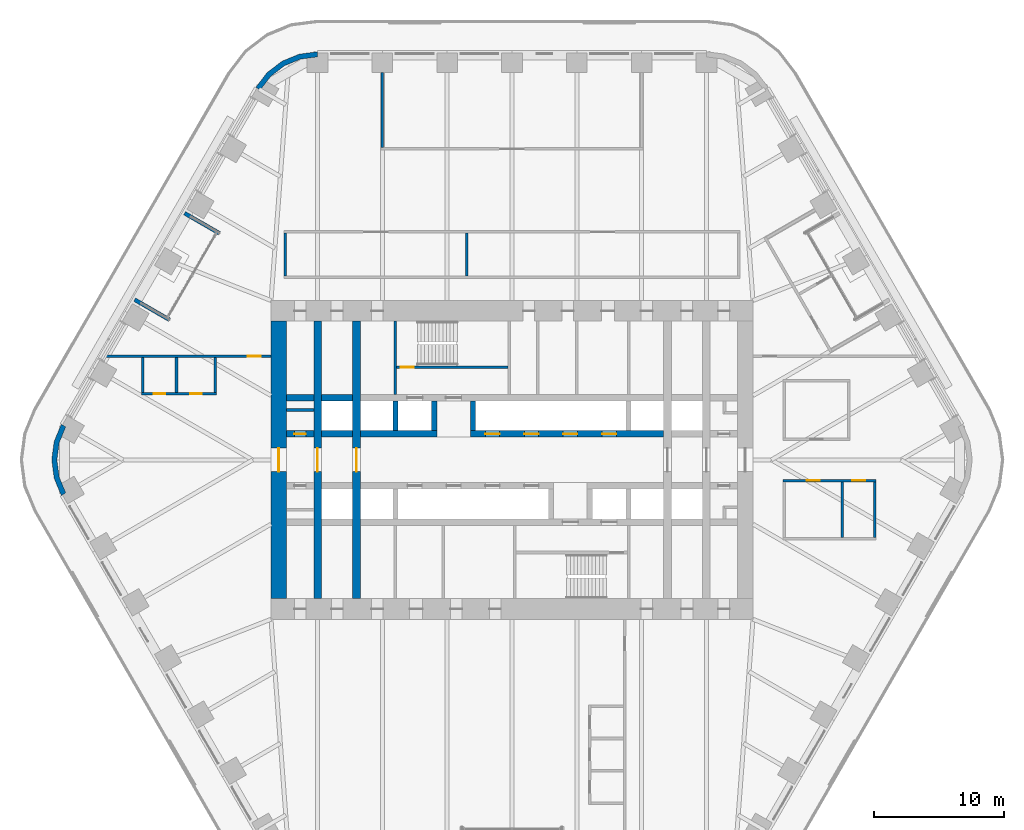
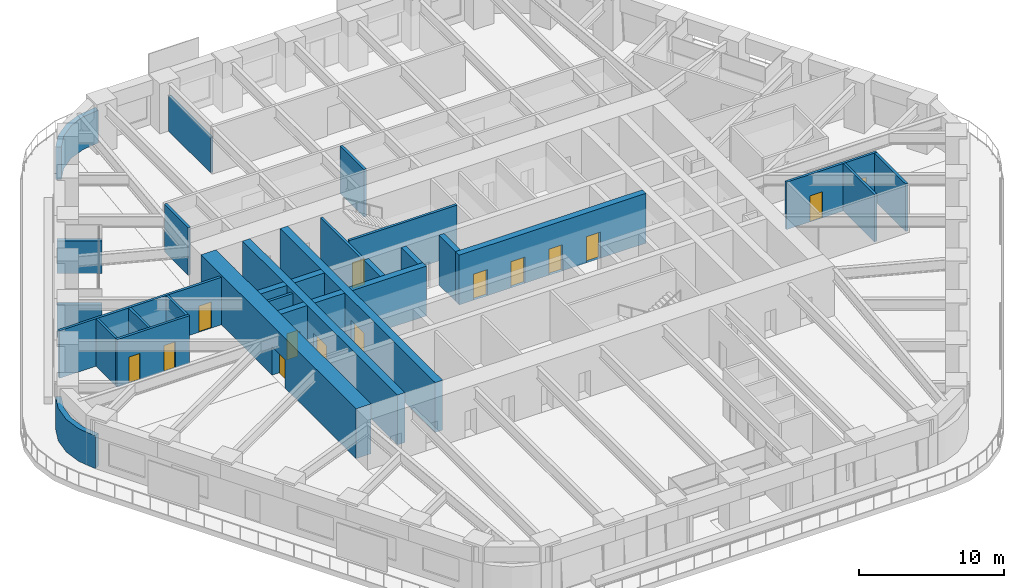
# One storey, part 19 of 24: 30 walls, 14 doors, 14 openings.
"""IFC4 building model written with IfcOpenShell, lengths in metres."""

from ifc_helpers import new_model, si_unit, direction, frame, frame_2d, origin, place, context, subcontext, project, spatial, polyline, rectangle, outline, extrude, material, layer, layer_set, type_object, element, fill, save


model = new_model("IFC4")

# Units and contexts
model_context = context("Model", 3, precision=1e-05, world=origin(), true_north=direction((0.0, 1.0)))
body_context = subcontext(model_context, "Body", "Model", "MODEL_VIEW")
ifc_project = project(units=[si_unit("LENGTHUNIT", "METRE"), si_unit("AREAUNIT", "SQUARE_METRE"), si_unit("VOLUMEUNIT", "CUBIC_METRE"), si_unit("PLANEANGLEUNIT", "RADIAN"), si_unit("MASSUNIT", "GRAM", prefix="KILO")], contexts=[model_context])

# Site, building, storey
site_placement = place(None, origin())
site = spatial("IfcSite", under=ifc_project, at=site_placement, CompositionType="ELEMENT")
building_placement = place(site_placement, origin())
building = spatial("IfcBuilding", under=site, at=building_placement, Name="Tarfa Lantern Tower", CompositionType="ELEMENT")
storey_placement = place(building_placement, frame((0.0, 0.0, 140.5)))
storey = spatial("IfcBuildingStorey", under=building, at=storey_placement, Name="L31", CompositionType="ELEMENT", Elevation=140.5)

# Walls
ifc_material_1 = material(Name="Limestone cladding on blockwork", Category="masonry")
ifc_layer_1 = layer(ifc_material_1, 0.300048828125)
ifc_layer_set_1 = layer_set([ifc_layer_1], Name="EW1 STONE-CLAD WALL 300")
wall_type_1 = type_object("IfcWallType", Name="EW1 STONE-CLAD WALL 300", PredefinedType="SOLIDWALL", material=ifc_layer_set_1)
wall_1_placement = place(storey_placement, frame((-25.266357421875, 19.037353515625, 0.0), z_axis=(0.0, 0.0, 1.0), x_axis=(0.86600983753, -0.500026960575, 0.0)))
element("IfcWall", 1, at=wall_1_placement, inside=storey, type_object=wall_type_1, Name="Loggia return NW 1", PredefinedType="SOLIDWALL", context=body_context, shape_type="SweptSolid", body=[
    extrude(rectangle(XDim=3.099853515625, YDim=0.300048828125, at=frame_2d((1.5498046875, 0.0))), origin(), (0.0, 0.0, 1.0), 2.75),
])
wall_2_placement = place(storey_placement, frame((-29.1201171875, 12.362548828125, 0.0), z_axis=(0.0, 0.0, 1.0), x_axis=(0.86602952684, -0.49999285859, 0.0)))
element("IfcWall", 2, at=wall_2_placement, inside=storey, type_object=wall_type_1, Name="Loggia return NW 2", PredefinedType="SOLIDWALL", context=body_context, shape_type="SweptSolid", body=[
    extrude(rectangle(XDim=3.10009765625, YDim=0.300048828125, at=frame_2d((1.550048828125, 0.0))), origin(), (0.0, 0.0, 1.0), 2.75),
])
ifc_layer_2 = layer(ifc_material_1, 0.39990234375)
ifc_layer_set_2 = layer_set([ifc_layer_2], Name="EW2 CURVED STONE CORNER 400")
wall_type_2 = type_object("IfcWallType", Name="EW2 CURVED STONE CORNER 400", PredefinedType="SOLIDWALL", material=ifc_layer_set_2)
wall_3_placement = place(storey_placement, origin())
element("IfcWall", 3, at=wall_3_placement, inside=storey, type_object=wall_type_2, Name="Stone corner N-NW", PredefinedType="SOLIDWALL", context=body_context, shape_type="SweptSolid", body=[
    extrude(outline(polyline([(-15.010986328125, 31.5), (-16.4345703125, 31.3125), (-17.760986328125, 30.76318359375), (-18.900146484375, 29.88916015625), (-19.774169921875, 28.75), (-19.427734375, 28.550048828125), (-18.617431640625, 29.606201171875), (-17.56103515625, 30.416748046875), (-16.3310546875, 30.92626953125), (-15.010986328125, 31.10009765625), (-15.010986328125, 31.5)])), origin(), (0.0, 0.0, 1.0), 2.75),
])
wall_4_placement = place(storey_placement, origin())
element("IfcWall", 4, at=wall_4_placement, inside=storey, type_object=wall_type_2, Name="Stone corner NW-SW", PredefinedType="SOLIDWALL", context=body_context, shape_type="SweptSolid", body=[
    extrude(outline(polyline([(-34.785400390625, 2.75), (-35.334716796875, 1.423583984375), (-35.522216796875, 0.0), (-35.334716796875, -1.423583984375), (-34.785400390625, -2.75), (-34.43896484375, -2.550048828125), (-34.948486328125, -1.320068359375), (-35.122314453125, 0.0), (-34.948486328125, 1.320068359375), (-34.43896484375, 2.550048828125), (-34.785400390625, 2.75)])), origin(), (0.0, 0.0, 1.0), 2.75),
])
ifc_material_2 = material(Name="Concrete blockwork", Category="masonry")
ifc_layer_3 = layer(ifc_material_2, 0.199951171875)
ifc_layer_set_3 = layer_set([ifc_layer_3], Name="IW1 BLOCKWORK PARTITION 200 EI 120")
wall_type_3 = type_object("IfcWallType", Name="IW1 BLOCKWORK PARTITION 200 EI 120", PredefinedType="PARTITIONING", material=ifc_layer_set_3)
wall_5_placement = place(storey_placement, frame((-9.0, 5.050048828125, 0.0), z_axis=(0.0, 0.0, 1.0), x_axis=(0.0, 1.0, 0.0)))
element("IfcWall", 5, at=wall_5_placement, inside=storey, type_object=wall_type_3, Name="Core partition", PredefinedType="PARTITIONING", context=body_context, shape_type="SweptSolid", body=[
    extrude(rectangle(XDim=5.64990234375, YDim=0.199951171875, at=frame_2d((2.824951171875, 0.0))), origin(), (0.0, 0.0, 1.0), 4.0),
])
wall_6_placement = place(storey_placement, frame((-17.39990234375, 3.85009765625, 0.0), z_axis=(0.0, 0.0, 1.0), x_axis=(1.0, 0.0, 0.0)))
element("IfcWall", 6, at=wall_6_placement, inside=storey, type_object=wall_type_3, Name="Core partition", PredefinedType="PARTITIONING", context=body_context, shape_type="SweptSolid", body=[
    extrude(rectangle(XDim=2.099853515625, YDim=0.199951171875, at=frame_2d((1.0498046875, 0.0))), origin(), (0.0, 0.0, 1.0), 4.0),
])
ifc_material_3 = material(Name="Gypsum board on steel studs", Category="steel")
ifc_layer_4 = layer(ifc_material_3, 0.2099609375)
ifc_layer_set_4 = layer_set([ifc_layer_4], Name="IW2 ACOUSTIC PARTITION 200")
wall_type_4 = type_object("IfcWallType", Name="IW2 ACOUSTIC PARTITION 200", PredefinedType="PARTITIONING", material=ifc_layer_set_4)
for number, where, z_axis, x_axis, name in (
    (7, (-17.5, 14.199951171875, 0.0), (0.0, 0.0, 1.0), (0.0, 1.0, 0.0), "Partition"),
    (8, (-3.5, 14.199951171875, 0.0), (0.0, 0.0, 1.0), (0.0, 1.0, 0.0), "Partition"),
):
    element("IfcWall", number, at=place(storey_placement, frame(where, z_axis=z_axis, x_axis=x_axis)), inside=storey, type_object=wall_type_4, Name=name, PredefinedType="PARTITIONING", context=body_context, shape_type="SweptSolid", body=[
        extrude(rectangle(XDim=3.300048828125, YDim=0.199951171875, at=frame_2d((1.64990234375, 0.0))), origin(), (0.0, 0.0, 1.0), 4.0),
    ])
wall_7_placement = place(storey_placement, frame((-10.00732421875, 24.10009765625, 0.0), z_axis=(0.0, 0.0, 1.0), x_axis=(0.0, 1.0, 0.0)))
element("IfcWall", 9, at=wall_7_placement, inside=storey, type_object=wall_type_4, Name="Partition", PredefinedType="PARTITIONING", context=body_context, shape_type="SweptSolid", body=[
    extrude(rectangle(XDim=5.7998046875, YDim=0.199951171875, at=frame_2d((2.89990234375, 0.0))), origin(), (0.0, 0.0, 1.0), 2.991943359375),
])

# Wall, openings, doors
wall_8_placement = place(storey_placement, frame((20.89990234375, -1.60009765625, 0.0), z_axis=(0.0, 0.0, 1.0), x_axis=(1.0, 0.0, 0.0)))
wall_8 = element("IfcWall", 10, at=wall_8_placement, inside=storey, type_object=wall_type_4, Name="Partition", PredefinedType="PARTITIONING", context=body_context, shape_type="SweptSolid", body=[
    extrude(rectangle(XDim=7.2001953125, YDim=0.199951171875, at=frame_2d((3.60009765625, 0.0))), origin(), (0.0, 0.0, 1.0), 4.0),
])
opening_1_placement = place(wall_8_placement, frame((1.85009765625, 0.0, 0.0)))
opening_1 = element("IfcOpeningElement", 11, at=opening_1_placement, cuts=wall_8, Name="Opening D34", PredefinedType="OPENING", context=body_context, shape_type="SweptSolid", body=[
    extrude(rectangle(XDim=1.0, YDim=2.199951171875, at=frame_2d((0.5, 1.10009765625))), frame((0.0, 0.10986328125, 0.0), z_axis=(0.0, -1.0, 0.0), x_axis=(1.0, 0.0, 0.0)), (0.0, 0.0, 1.0), 0.219970703125),
])
opening_2_placement = place(wall_8_placement, frame((5.35009765625, 0.0, 0.0)))
opening_2 = element("IfcOpeningElement", 12, at=opening_2_placement, cuts=wall_8, Name="Opening D35", PredefinedType="OPENING", context=body_context, shape_type="SweptSolid", body=[
    extrude(rectangle(XDim=1.0, YDim=2.199951171875, at=frame_2d((0.5, 1.10009765625))), frame((0.0, 0.10986328125, 0.0), z_axis=(0.0, -1.0, 0.0), x_axis=(1.0, 0.0, 0.0)), (0.0, 0.0, 1.0), 0.219970703125),
])
ifc_material_4 = material(Name="Timber door", Category="wood")
door_type_1 = type_object("IfcDoorType", Name="DR1 ROOM DOOR 1000x2200", OperationType="SINGLE_SWING_LEFT", PredefinedType="DOOR", material=ifc_material_4)
door_1_placement = place(opening_1_placement, frame((1.0, 0.0, 0.0), z_axis=(0.0, 0.0, 1.0), x_axis=(-1.0, 0.0, 0.0)))
door_1 = element("IfcDoor", 13, at=door_1_placement, inside=storey, type_object=door_type_1, Name="Pantry door", OperationType="SINGLE_SWING_LEFT", OverallHeight=2.199951171875, OverallWidth=1.0, PredefinedType="DOOR", context=body_context, shape_type="SweptSolid", body=[
    extrude(rectangle(XDim=1.0, YDim=2.199951171875, at=frame_2d((0.5, 1.10009765625))), frame((0.0, 0.02490234375, 0.0), z_axis=(0.0, -1.0, 0.0), x_axis=(1.0, 0.0, 0.0)), (0.0, 0.0, 1.0), 0.050048828125),
])
fill(opening_1, door_1)
door_2_placement = place(opening_2_placement, frame((1.0, 0.0, 0.0), z_axis=(0.0, 0.0, 1.0), x_axis=(-1.0, 0.0, 0.0)))
door_2 = element("IfcDoor", 14, at=door_2_placement, inside=storey, type_object=door_type_1, Name="Print room door", OperationType="SINGLE_SWING_RIGHT", OverallHeight=2.199951171875, OverallWidth=1.0, PredefinedType="DOOR", context=body_context, shape_type="SweptSolid", body=[
    extrude(rectangle(XDim=1.0, YDim=2.199951171875, at=frame_2d((0.5, 1.10009765625))), frame((0.0, 0.02490234375, 0.0), z_axis=(0.0, -1.0, 0.0), x_axis=(1.0, 0.0, 0.0)), (0.0, 0.0, 1.0), 0.050048828125),
])
fill(opening_2, door_2)

# Walls
for number, where, z_axis, x_axis, name in (
    (15, (25.5, -1.699951171875, 0.0), (0.0, 0.0, 1.0), (0.0, -1.0, 0.0), "Partition"),
    (16, (28.0, -1.699951171875, 0.0), (0.0, 0.0, 1.0), (0.0, -1.0, 0.0), "Partition"),
):
    element("IfcWall", number, at=place(storey_placement, frame(where, z_axis=z_axis, x_axis=x_axis)), inside=storey, type_object=wall_type_4, Name=name, PredefinedType="PARTITIONING", context=body_context, shape_type="SweptSolid", body=[
        extrude(rectangle(XDim=4.300048828125, YDim=0.199951171875, at=frame_2d((2.14990234375, 0.0))), origin(), (0.0, 0.0, 1.0), 4.0),
    ])

# Wall, opening, door
wall_9_placement = place(storey_placement, frame((-18.60009765625, 8.0, 0.0), z_axis=(0.0, 0.0, 1.0), x_axis=(-1.0, 0.0, 0.0)))
wall_9 = element("IfcWall", 17, at=wall_9_placement, inside=storey, type_object=wall_type_4, Name="Partition", PredefinedType="PARTITIONING", context=body_context, shape_type="SweptSolid", body=[
    extrude(rectangle(XDim=12.89990234375, YDim=0.199951171875, at=frame_2d((6.449951171875, 0.0))), origin(), (0.0, 0.0, 1.0), 4.0),
])
opening_3_placement = place(wall_9_placement, frame((0.7900390625, 0.0, 0.0)))
opening_3 = element("IfcOpeningElement", 18, at=opening_3_placement, cuts=wall_9, Name="Opening D48", PredefinedType="OPENING", context=body_context, shape_type="SweptSolid", body=[
    extrude(rectangle(XDim=1.0, YDim=2.199951171875, at=frame_2d((0.5, 1.10009765625))), frame((0.0, 0.10986328125, 0.0), z_axis=(0.0, -1.0, 0.0), x_axis=(1.0, 0.0, 0.0)), (0.0, 0.0, 1.0), 0.219970703125),
])
door_3_placement = place(opening_3_placement, frame((1.0, 0.0, 0.0), z_axis=(0.0, 0.0, 1.0), x_axis=(-1.0, 0.0, 0.0)))
door_3 = element("IfcDoor", 19, at=door_3_placement, inside=storey, type_object=door_type_1, Name="Zone door", OperationType="SINGLE_SWING_LEFT", OverallHeight=2.199951171875, OverallWidth=1.0, PredefinedType="DOOR", context=body_context, shape_type="SweptSolid", body=[
    extrude(rectangle(XDim=1.0, YDim=2.199951171875, at=frame_2d((0.5, 1.10009765625))), frame((0.0, 0.02490234375, 0.0), z_axis=(0.0, -1.0, 0.0), x_axis=(1.0, 0.0, 0.0)), (0.0, 0.0, 1.0), 0.050048828125),
])
fill(opening_3, door_3)

# Wall, openings, doors
wall_10_placement = place(storey_placement, frame((-22.795166015625, 5.10009765625, 0.0), z_axis=(0.0, 0.0, 1.0), x_axis=(-1.0, 0.0, 0.0)))
wall_10 = element("IfcWall", 20, at=wall_10_placement, inside=storey, type_object=wall_type_4, Name="Partition", PredefinedType="PARTITIONING", context=body_context, shape_type="SweptSolid", body=[
    extrude(rectangle(XDim=5.7998046875, YDim=0.199951171875, at=frame_2d((2.89990234375, 0.0))), origin(), (0.0, 0.0, 1.0), 4.0),
])
opening_4_placement = place(wall_10_placement, frame((1.14990234375, 0.0, 0.0)))
opening_4 = element("IfcOpeningElement", 21, at=opening_4_placement, cuts=wall_10, Name="Opening D41", PredefinedType="OPENING", context=body_context, shape_type="SweptSolid", body=[
    extrude(rectangle(XDim=0.89990234375, YDim=2.199951171875, at=frame_2d((0.449951171875, 1.10009765625))), frame((0.0, 0.10986328125, 0.0), z_axis=(0.0, -1.0, 0.0), x_axis=(1.0, 0.0, 0.0)), (0.0, 0.0, 1.0), 0.219970703125),
])
opening_5_placement = place(wall_10_placement, frame((3.949951171875, 0.0, 0.0)))
opening_5 = element("IfcOpeningElement", 22, at=opening_5_placement, cuts=wall_10, Name="Opening D42", PredefinedType="OPENING", context=body_context, shape_type="SweptSolid", body=[
    extrude(rectangle(XDim=0.89990234375, YDim=2.199951171875, at=frame_2d((0.449951171875, 1.10009765625))), frame((0.0, 0.10986328125, 0.0), z_axis=(0.0, -1.0, 0.0), x_axis=(1.0, 0.0, 0.0)), (0.0, 0.0, 1.0), 0.219970703125),
])
door_type_2 = type_object("IfcDoorType", Name="DR3 ROOM DOOR 900x2200", OperationType="SINGLE_SWING_LEFT", PredefinedType="DOOR", material=ifc_material_4)
door_4_placement = place(opening_4_placement, frame((0.89990234375, 0.0, 0.0), z_axis=(0.0, 0.0, 1.0), x_axis=(-1.0, 0.0, 0.0)))
door_4 = element("IfcDoor", 23, at=door_4_placement, inside=storey, type_object=door_type_2, Name="Wellness room door", OperationType="SINGLE_SWING_LEFT", OverallHeight=2.199951171875, OverallWidth=0.89990234375, PredefinedType="DOOR", context=body_context, shape_type="SweptSolid", body=[
    extrude(rectangle(XDim=0.89990234375, YDim=2.199951171875, at=frame_2d((0.449951171875, 1.10009765625))), frame((0.0, 0.02490234375, 0.0), z_axis=(0.0, -1.0, 0.0), x_axis=(1.0, 0.0, 0.0)), (0.0, 0.0, 1.0), 0.050048828125),
])
fill(opening_4, door_4)
door_5_placement = place(opening_5_placement, frame((0.89990234375, 0.0, 0.0), z_axis=(0.0, 0.0, 1.0), x_axis=(-1.0, 0.0, 0.0)))
door_5 = element("IfcDoor", 24, at=door_5_placement, inside=storey, type_object=door_type_2, Name="Quiet room door", OperationType="SINGLE_SWING_RIGHT", OverallHeight=2.199951171875, OverallWidth=0.89990234375, PredefinedType="DOOR", context=body_context, shape_type="SweptSolid", body=[
    extrude(rectangle(XDim=0.89990234375, YDim=2.199951171875, at=frame_2d((0.449951171875, 1.10009765625))), frame((0.0, 0.02490234375, 0.0), z_axis=(0.0, -1.0, 0.0), x_axis=(1.0, 0.0, 0.0)), (0.0, 0.0, 1.0), 0.050048828125),
])
fill(opening_5, door_5)

# Walls
for number, where, z_axis, x_axis, name in (
    (25, (-22.89501953125, 7.89990234375, 0.0), (0.0, 0.0, 1.0), (0.0, -1.0, 0.0), "Partition"),
    (26, (-25.89501953125, 7.89990234375, 0.0), (0.0, 0.0, 1.0), (0.0, -1.0, 0.0), "Partition"),
    (27, (-28.4951171875, 7.89990234375, 0.0), (0.0, 0.0, 1.0), (0.0, -1.0, 0.0), "Partition"),
):
    element("IfcWall", number, at=place(storey_placement, frame(where, z_axis=z_axis, x_axis=x_axis)), inside=storey, type_object=wall_type_4, Name=name, PredefinedType="PARTITIONING", context=body_context, shape_type="SweptSolid", body=[
        extrude(rectangle(XDim=2.699951171875, YDim=0.199951171875, at=frame_2d((1.35009765625, 0.0))), origin(), (0.0, 0.0, 1.0), 4.0),
    ])

# Wall, opening, door
ifc_material_5 = material(Name="Concrete C80/95", Category="concrete")
ifc_layer_5 = layer(ifc_material_5, 1.199951171875)
ifc_layer_set_5 = layer_set([ifc_layer_5], Name="SW1 CORE WALL 1200")
wall_type_5 = type_object("IfcWallType", Name="SW1 CORE WALL 1200", PredefinedType="SHEAR", material=ifc_layer_set_5)
wall_11_placement = place(storey_placement, frame((-18.0, 10.699951171875, 0.0), z_axis=(0.0, 0.0, 1.0), x_axis=(0.0, -1.0, 0.0)))
wall_11 = element("IfcWall", 28, at=wall_11_placement, inside=storey, type_object=wall_type_5, Name="Core wall W", PredefinedType="SHEAR", context=body_context, shape_type="SweptSolid", body=[
    extrude(rectangle(XDim=21.39990234375, YDim=1.199951171875, at=frame_2d((10.699951171875, 0.0))), origin(), (0.0, 0.0, 1.0), 4.199951171875),
])
opening_6_placement = place(wall_11_placement, frame((9.800048828125, 0.0, 0.0)))
opening_6 = element("IfcOpeningElement", 29, at=opening_6_placement, cuts=wall_11, Name="Opening D16", PredefinedType="OPENING", context=body_context, shape_type="SweptSolid", body=[
    extrude(rectangle(XDim=1.800048828125, YDim=2.39990234375, at=frame_2d((0.89990234375, 1.199951171875))), frame((0.0, 0.60986328125, 0.0), z_axis=(0.0, -1.0, 0.0), x_axis=(1.0, 0.0, 0.0)), (0.0, 0.0, 1.0), 1.219970703125),
])
ifc_material_6 = material(Name="Steel fire door", Category="steel")
door_type_3 = type_object("IfcDoorType", Name="DL1 LOBBY DOOR 1800x2400", OperationType="DOUBLE_DOOR_SINGLE_SWING", PredefinedType="DOOR", material=ifc_material_6)
door_6_placement = place(opening_6_placement, frame((1.800048828125, 0.0, 0.0), z_axis=(0.0, 0.0, 1.0), x_axis=(-1.0, 0.0, 0.0)))
door_6 = element("IfcDoor", 30, at=door_6_placement, inside=storey, type_object=door_type_3, Name="Lift lobby door", OperationType="DOUBLE_DOOR_SINGLE_SWING", OverallHeight=2.39990234375, OverallWidth=1.800048828125, PredefinedType="DOOR", context=body_context, shape_type="SweptSolid", body=[
    extrude(rectangle(XDim=1.800048828125, YDim=2.39990234375, at=frame_2d((0.89990234375, 1.199951171875))), frame((0.0, 0.02490234375, 0.0), z_axis=(0.0, -1.0, 0.0), x_axis=(1.0, 0.0, 0.0)), (0.0, 0.0, 1.0), 0.050048828125),
])
fill(opening_6, door_6)

ifc_layer_6 = layer(ifc_material_5, 0.199951171875)
ifc_layer_set_6 = layer_set([ifc_layer_6], Name="SW12 CORE WALL 200")
wall_type_6 = type_object("IfcWallType", Name="SW12 CORE WALL 200", PredefinedType="SHEAR", material=ifc_layer_set_6)
wall_12_placement = place(storey_placement, frame((-8.89990234375, 7.14990234375, 0.0), z_axis=(0.0, 0.0, 1.0), x_axis=(1.0, 0.0, 0.0)))
wall_12 = element("IfcWall", 31, at=wall_12_placement, inside=storey, type_object=wall_type_6, Name="Core wall stair partition N", PredefinedType="SHEAR", context=body_context, shape_type="SweptSolid", body=[
    extrude(rectangle(XDim=8.599853515625, YDim=0.199951171875, at=frame_2d((4.2998046875, 0.0))), origin(), (0.0, 0.0, 1.0), 4.199951171875),
])
opening_7_placement = place(wall_12_placement, frame((0.300048828125, 0.0, 0.0)))
opening_7 = element("IfcOpeningElement", 32, at=opening_7_placement, cuts=wall_12, Name="Opening D27", PredefinedType="OPENING", context=body_context, shape_type="SweptSolid", body=[
    extrude(rectangle(XDim=1.0, YDim=2.199951171875, at=frame_2d((0.5, 1.10009765625))), frame((0.0, 0.10986328125, 0.0), z_axis=(0.0, -1.0, 0.0), x_axis=(1.0, 0.0, 0.0)), (0.0, 0.0, 1.0), 0.219970703125),
])
door_type_4 = type_object("IfcDoorType", Name="DF2 STAIR DOOR 1000x2200", OperationType="SINGLE_SWING_LEFT", PredefinedType="DOOR", material=ifc_material_6)
door_7_placement = place(opening_7_placement, origin())
door_7 = element("IfcDoor", 33, at=door_7_placement, inside=storey, type_object=door_type_4, Name="Stair door", OperationType="SINGLE_SWING_RIGHT", OverallHeight=2.199951171875, OverallWidth=1.0, PredefinedType="DOOR", context=body_context, shape_type="SweptSolid", body=[
    extrude(rectangle(XDim=1.0, YDim=2.199951171875, at=frame_2d((0.5, 1.10009765625))), frame((0.0, 0.02490234375, 0.0), z_axis=(0.0, -1.0, 0.0), x_axis=(1.0, 0.0, 0.0)), (0.0, 0.0, 1.0), 0.050048828125),
])
fill(opening_7, door_7)

ifc_layer_7 = layer(ifc_material_5, 0.5)
ifc_layer_set_7 = layer_set([ifc_layer_7], Name="SW5 CORE WALL 500")
wall_type_7 = type_object("IfcWallType", Name="SW5 CORE WALL 500", PredefinedType="SHEAR", material=ifc_layer_set_7)
wall_13_placement = place(storey_placement, frame((-17.39990234375, 2.0, 0.0), z_axis=(0.0, 0.0, 1.0), x_axis=(1.0, 0.0, 0.0)))
wall_13 = element("IfcWall", 34, at=wall_13_placement, inside=storey, type_object=wall_type_7, Name="Core wall lobby west N", PredefinedType="SHEAR", context=body_context, shape_type="SweptSolid", body=[
    extrude(rectangle(XDim=2.099853515625, YDim=0.5, at=frame_2d((1.0498046875, 0.0))), origin(), (0.0, 0.0, 1.0), 4.199951171875),
])
opening_8_placement = place(wall_13_placement, frame((0.60009765625, 0.0, 0.0)))
opening_8 = element("IfcOpeningElement", 35, at=opening_8_placement, cuts=wall_13, Name="Opening D19", PredefinedType="OPENING", context=body_context, shape_type="SweptSolid", body=[
    extrude(rectangle(XDim=0.89990234375, YDim=2.199951171875, at=frame_2d((0.449951171875, 1.10009765625))), frame((0.0, 0.260009765625, 0.0), z_axis=(0.0, -1.0, 0.0), x_axis=(1.0, 0.0, 0.0)), (0.0, 0.0, 1.0), 0.52001953125),
])
door_type_5 = type_object("IfcDoorType", Name="DF6 SERVICE ROOM DOOR 900x2200", OperationType="SINGLE_SWING_LEFT", PredefinedType="DOOR", material=ifc_material_6)
door_8_placement = place(opening_8_placement, origin())
door_8 = element("IfcDoor", 36, at=door_8_placement, inside=storey, type_object=door_type_5, Name="Service room door", OperationType="SINGLE_SWING_LEFT", OverallHeight=2.199951171875, OverallWidth=0.89990234375, PredefinedType="DOOR", context=body_context, shape_type="SweptSolid", body=[
    extrude(rectangle(XDim=0.89990234375, YDim=2.199951171875, at=frame_2d((0.449951171875, 1.10009765625))), frame((0.0, 0.02490234375, 0.0), z_axis=(0.0, -1.0, 0.0), x_axis=(1.0, 0.0, 0.0)), (0.0, 0.0, 1.0), 0.050048828125),
])
fill(opening_8, door_8)

# Walls
wall_14_placement = place(storey_placement, frame((-14.699951171875, 2.0, 0.0), z_axis=(0.0, 0.0, 1.0), x_axis=(1.0, 0.0, 0.0)))
element("IfcWall", 37, at=wall_14_placement, inside=storey, type_object=wall_type_7, Name="Core wall lobby west N", PredefinedType="SHEAR", context=body_context, shape_type="SweptSolid", body=[
    extrude(rectangle(XDim=2.39990234375, YDim=0.5, at=frame_2d((1.199951171875, 0.0))), origin(), (0.0, 0.0, 1.0), 4.199951171875),
])
wall_15_placement = place(storey_placement, frame((-11.699951171875, 2.0, 0.0), z_axis=(0.0, 0.0, 1.0), x_axis=(1.0, 0.0, 0.0)))
element("IfcWall", 38, at=wall_15_placement, inside=storey, type_object=wall_type_7, Name="Core wall lobby west N", PredefinedType="SHEAR", context=body_context, shape_type="SweptSolid", body=[
    extrude(rectangle(XDim=5.89990234375, YDim=0.5, at=frame_2d((2.949951171875, 0.0))), origin(), (0.0, 0.0, 1.0), 4.199951171875),
])

# Wall, openings, doors
wall_16_placement = place(storey_placement, frame((-3.199951171875, 2.0, 0.0), z_axis=(0.0, 0.0, 1.0), x_axis=(1.0, 0.0, 0.0)))
wall_16 = element("IfcWall", 39, at=wall_16_placement, inside=storey, type_object=wall_type_7, Name="Core wall lobby east N", PredefinedType="SHEAR", context=body_context, shape_type="SweptSolid", body=[
    extrude(rectangle(XDim=14.89990234375, YDim=0.5, at=frame_2d((7.449951171875, 0.0))), origin(), (0.0, 0.0, 1.0), 4.199951171875),
])
opening_9_placement = place(wall_16_placement, frame((1.14990234375, 0.0, 0.0)))
opening_9 = element("IfcOpeningElement", 40, at=opening_9_placement, cuts=wall_16, Name="Opening LD03", PredefinedType="OPENING", context=body_context, shape_type="SweptSolid", body=[
    extrude(rectangle(XDim=1.10009765625, YDim=2.199951171875, at=frame_2d((0.550048828125, 1.10009765625))), frame((0.0, 0.260009765625, 0.0), z_axis=(0.0, -1.0, 0.0), x_axis=(1.0, 0.0, 0.0)), (0.0, 0.0, 1.0), 0.52001953125),
])
opening_10_placement = place(wall_16_placement, frame((4.14990234375, 0.0, 0.0)))
opening_10 = element("IfcOpeningElement", 41, at=opening_10_placement, cuts=wall_16, Name="Opening LD04", PredefinedType="OPENING", context=body_context, shape_type="SweptSolid", body=[
    extrude(rectangle(XDim=1.10009765625, YDim=2.199951171875, at=frame_2d((0.550048828125, 1.10009765625))), frame((0.0, 0.260009765625, 0.0), z_axis=(0.0, -1.0, 0.0), x_axis=(1.0, 0.0, 0.0)), (0.0, 0.0, 1.0), 0.52001953125),
])
opening_11_placement = place(wall_16_placement, frame((7.14990234375, 0.0, 0.0)))
opening_11 = element("IfcOpeningElement", 42, at=opening_11_placement, cuts=wall_16, Name="Opening LD05", PredefinedType="OPENING", context=body_context, shape_type="SweptSolid", body=[
    extrude(rectangle(XDim=1.10009765625, YDim=2.199951171875, at=frame_2d((0.550048828125, 1.10009765625))), frame((0.0, 0.260009765625, 0.0), z_axis=(0.0, -1.0, 0.0), x_axis=(1.0, 0.0, 0.0)), (0.0, 0.0, 1.0), 0.52001953125),
])
opening_12_placement = place(wall_16_placement, frame((10.14990234375, 0.0, 0.0)))
opening_12 = element("IfcOpeningElement", 43, at=opening_12_placement, cuts=wall_16, Name="Opening LD06", PredefinedType="OPENING", context=body_context, shape_type="SweptSolid", body=[
    extrude(rectangle(XDim=1.10009765625, YDim=2.199951171875, at=frame_2d((0.550048828125, 1.10009765625))), frame((0.0, 0.260009765625, 0.0), z_axis=(0.0, -1.0, 0.0), x_axis=(1.0, 0.0, 0.0)), (0.0, 0.0, 1.0), 0.52001953125),
])
ifc_material_7 = material(Name="Stainless steel lift door", Category="steel")
door_type_6 = type_object("IfcDoorType", Name="LD2 LIFT LANDING DOOR 1100x2200", OperationType="SLIDING_TO_LEFT", PredefinedType="DOOR", material=ifc_material_7)
door_9_placement = place(opening_9_placement, frame((1.10009765625, 0.0, 0.0), z_axis=(0.0, 0.0, 1.0), x_axis=(-1.0, 0.0, 0.0)))
door_9 = element("IfcDoor", 44, at=door_9_placement, inside=storey, type_object=door_type_6, Name="Landing door PB1", OperationType="SLIDING_TO_LEFT", OverallHeight=2.199951171875, OverallWidth=1.10009765625, PredefinedType="DOOR", context=body_context, shape_type="SweptSolid", body=[
    extrude(rectangle(XDim=1.10009765625, YDim=2.199951171875, at=frame_2d((0.550048828125, 1.10009765625))), frame((0.0, 0.02490234375, 0.0), z_axis=(0.0, -1.0, 0.0), x_axis=(1.0, 0.0, 0.0)), (0.0, 0.0, 1.0), 0.050048828125),
])
fill(opening_9, door_9)
door_10_placement = place(opening_10_placement, frame((1.10009765625, 0.0, 0.0), z_axis=(0.0, 0.0, 1.0), x_axis=(-1.0, 0.0, 0.0)))
door_10 = element("IfcDoor", 45, at=door_10_placement, inside=storey, type_object=door_type_6, Name="Landing door PB2", OperationType="SLIDING_TO_LEFT", OverallHeight=2.199951171875, OverallWidth=1.10009765625, PredefinedType="DOOR", context=body_context, shape_type="SweptSolid", body=[
    extrude(rectangle(XDim=1.10009765625, YDim=2.199951171875, at=frame_2d((0.550048828125, 1.10009765625))), frame((0.0, 0.02490234375, 0.0), z_axis=(0.0, -1.0, 0.0), x_axis=(1.0, 0.0, 0.0)), (0.0, 0.0, 1.0), 0.050048828125),
])
fill(opening_10, door_10)
door_11_placement = place(opening_11_placement, frame((1.10009765625, 0.0, 0.0), z_axis=(0.0, 0.0, 1.0), x_axis=(-1.0, 0.0, 0.0)))
door_11 = element("IfcDoor", 46, at=door_11_placement, inside=storey, type_object=door_type_6, Name="Landing door PB3", OperationType="SLIDING_TO_LEFT", OverallHeight=2.199951171875, OverallWidth=1.10009765625, PredefinedType="DOOR", context=body_context, shape_type="SweptSolid", body=[
    extrude(rectangle(XDim=1.10009765625, YDim=2.199951171875, at=frame_2d((0.550048828125, 1.10009765625))), frame((0.0, 0.02490234375, 0.0), z_axis=(0.0, -1.0, 0.0), x_axis=(1.0, 0.0, 0.0)), (0.0, 0.0, 1.0), 0.050048828125),
])
fill(opening_11, door_11)
door_12_placement = place(opening_12_placement, frame((1.10009765625, 0.0, 0.0), z_axis=(0.0, 0.0, 1.0), x_axis=(-1.0, 0.0, 0.0)))
door_12 = element("IfcDoor", 47, at=door_12_placement, inside=storey, type_object=door_type_6, Name="Landing door PB4", OperationType="SLIDING_TO_LEFT", OverallHeight=2.199951171875, OverallWidth=1.10009765625, PredefinedType="DOOR", context=body_context, shape_type="SweptSolid", body=[
    extrude(rectangle(XDim=1.10009765625, YDim=2.199951171875, at=frame_2d((0.550048828125, 1.10009765625))), frame((0.0, 0.02490234375, 0.0), z_axis=(0.0, -1.0, 0.0), x_axis=(1.0, 0.0, 0.0)), (0.0, 0.0, 1.0), 0.050048828125),
])
fill(opening_12, door_12)

# Walls
wall_17_placement = place(storey_placement, frame((-17.39990234375, 4.800048828125, 0.0), z_axis=(0.0, 0.0, 1.0), x_axis=(1.0, 0.0, 0.0)))
element("IfcWall", 48, at=wall_17_placement, inside=storey, type_object=wall_type_7, Name="Core wall rear N", PredefinedType="SHEAR", context=body_context, shape_type="SweptSolid", body=[
    extrude(rectangle(XDim=2.099853515625, YDim=0.5, at=frame_2d((1.0498046875, 0.0))), origin(), (0.0, 0.0, 1.0), 4.199951171875),
])
wall_18_placement = place(storey_placement, frame((-14.699951171875, 4.800048828125, 0.0), z_axis=(0.0, 0.0, 1.0), x_axis=(1.0, 0.0, 0.0)))
element("IfcWall", 49, at=wall_18_placement, inside=storey, type_object=wall_type_7, Name="Core wall rear N", PredefinedType="SHEAR", context=body_context, shape_type="SweptSolid", body=[
    extrude(rectangle(XDim=2.39990234375, YDim=0.5, at=frame_2d((1.199951171875, 0.0))), origin(), (0.0, 0.0, 1.0), 4.199951171875),
])
ifc_layer_8 = layer(ifc_material_5, 0.39990234375)
ifc_layer_set_8 = layer_set([ifc_layer_8], Name="SW6 CORE WALL 400")
wall_type_8 = type_object("IfcWallType", Name="SW6 CORE WALL 400", PredefinedType="SHEAR", material=ifc_layer_set_8)
for number, where, z_axis, x_axis, name in (
    (50, (-9.0, 2.25, 0.0), (0.0, 0.0, 1.0), (0.0, 1.0, 0.0), "Core wall divider N"),
    (51, (-6.0, 2.25, 0.0), (0.0, 0.0, 1.0), (0.0, 1.0, 0.0), "Core wall divider N"),
    (52, (-3.0, 2.25, 0.0), (0.0, 0.0, 1.0), (0.0, 1.0, 0.0), "Core wall divider N"),
):
    element("IfcWall", number, at=place(storey_placement, frame(where, z_axis=z_axis, x_axis=x_axis)), inside=storey, type_object=wall_type_8, Name=name, PredefinedType="SHEAR", context=body_context, shape_type="SweptSolid", body=[
        extrude(rectangle(XDim=2.300048828125, YDim=0.39990234375, at=frame_2d((1.14990234375, 0.0))), origin(), (0.0, 0.0, 1.0), 4.199951171875),
    ])

# Wall, opening, door
ifc_layer_9 = layer(ifc_material_5, 0.60009765625)
ifc_layer_set_9 = layer_set([ifc_layer_9], Name="SW9 CORE WALL 600")
wall_type_9 = type_object("IfcWallType", Name="SW9 CORE WALL 600", PredefinedType="SHEAR", material=ifc_layer_set_9)
wall_19_placement = place(storey_placement, frame((-12.0, -10.699951171875, 0.0), z_axis=(0.0, 0.0, 1.0), x_axis=(0.0, 1.0, 0.0)))
wall_19 = element("IfcWall", 53, at=wall_19_placement, inside=storey, type_object=wall_type_9, Name="Core wall cross 12 m west", PredefinedType="SHEAR", context=body_context, shape_type="SweptSolid", body=[
    extrude(rectangle(XDim=21.39990234375, YDim=0.60009765625, at=frame_2d((10.699951171875, 0.0))), origin(), (0.0, 0.0, 1.0), 4.199951171875),
])
opening_13_placement = place(wall_19_placement, frame((9.800048828125, 0.0, 0.0)))
opening_13 = element("IfcOpeningElement", 54, at=opening_13_placement, cuts=wall_19, Name="Opening D31", PredefinedType="OPENING", context=body_context, shape_type="SweptSolid", body=[
    extrude(rectangle(XDim=1.800048828125, YDim=2.39990234375, at=frame_2d((0.89990234375, 1.199951171875))), frame((0.0, 0.31005859375, 0.0), z_axis=(0.0, -1.0, 0.0), x_axis=(1.0, 0.0, 0.0)), (0.0, 0.0, 1.0), 0.6201171875),
])
door_13_placement = place(opening_13_placement, origin())
door_13 = element("IfcDoor", 55, at=door_13_placement, inside=storey, type_object=door_type_3, Name="Lift lobby door", OperationType="DOUBLE_DOOR_SINGLE_SWING", OverallHeight=2.39990234375, OverallWidth=1.800048828125, PredefinedType="DOOR", context=body_context, shape_type="SweptSolid", body=[
    extrude(rectangle(XDim=1.800048828125, YDim=2.39990234375, at=frame_2d((0.89990234375, 1.199951171875))), frame((0.0, 0.02490234375, 0.0), z_axis=(0.0, -1.0, 0.0), x_axis=(1.0, 0.0, 0.0)), (0.0, 0.0, 1.0), 0.050048828125),
])
fill(opening_13, door_13)

wall_20_placement = place(storey_placement, frame((-15.0, -10.699951171875, 0.0), z_axis=(0.0, 0.0, 1.0), x_axis=(0.0, 1.0, 0.0)))
wall_20 = element("IfcWall", 56, at=wall_20_placement, inside=storey, type_object=wall_type_9, Name="Core wall cross 15 m west", PredefinedType="SHEAR", context=body_context, shape_type="SweptSolid", body=[
    extrude(rectangle(XDim=21.39990234375, YDim=0.60009765625, at=frame_2d((10.699951171875, 0.0))), origin(), (0.0, 0.0, 1.0), 4.199951171875),
])
opening_14_placement = place(wall_20_placement, frame((9.800048828125, 0.0, 0.0)))
opening_14 = element("IfcOpeningElement", 57, at=opening_14_placement, cuts=wall_20, Name="Opening D32", PredefinedType="OPENING", context=body_context, shape_type="SweptSolid", body=[
    extrude(rectangle(XDim=1.800048828125, YDim=2.39990234375, at=frame_2d((0.89990234375, 1.199951171875))), frame((0.0, 0.31005859375, 0.0), z_axis=(0.0, -1.0, 0.0), x_axis=(1.0, 0.0, 0.0)), (0.0, 0.0, 1.0), 0.6201171875),
])
door_14_placement = place(opening_14_placement, origin())
door_14 = element("IfcDoor", 58, at=door_14_placement, inside=storey, type_object=door_type_3, Name="Lift lobby door", OperationType="DOUBLE_DOOR_SINGLE_SWING", OverallHeight=2.39990234375, OverallWidth=1.800048828125, PredefinedType="DOOR", context=body_context, shape_type="SweptSolid", body=[
    extrude(rectangle(XDim=1.800048828125, YDim=2.39990234375, at=frame_2d((0.89990234375, 1.199951171875))), frame((0.0, 0.02490234375, 0.0), z_axis=(0.0, -1.0, 0.0), x_axis=(1.0, 0.0, 0.0)), (0.0, 0.0, 1.0), 0.050048828125),
])
fill(opening_14, door_14)

save(model, "model.ifc")
